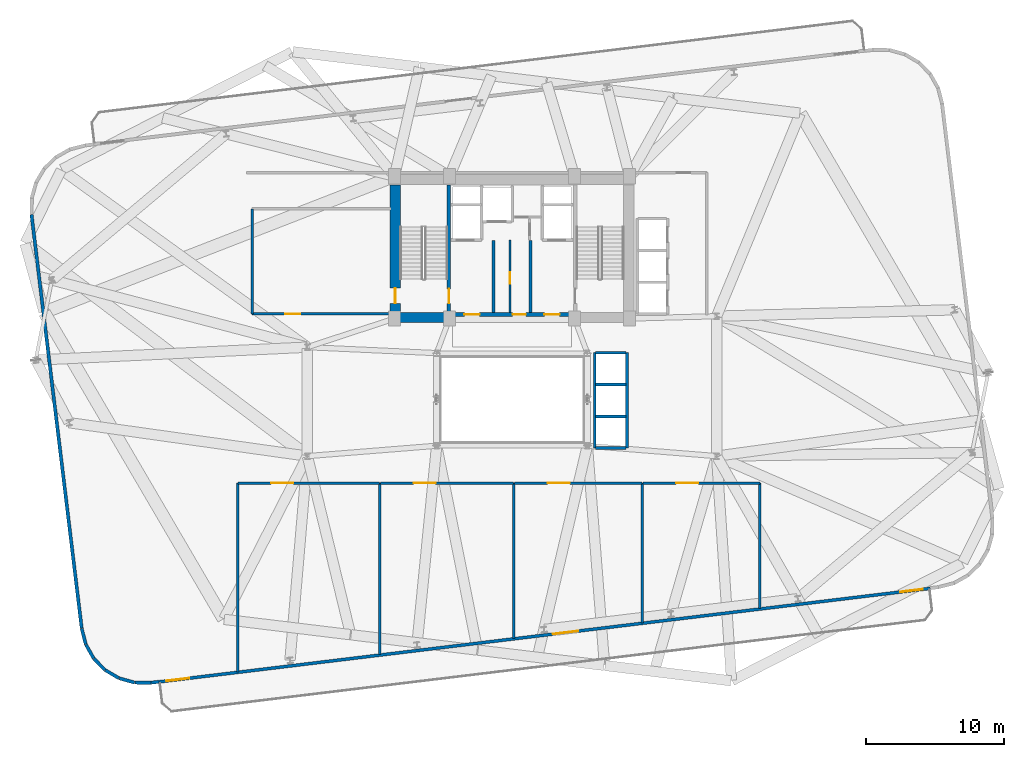
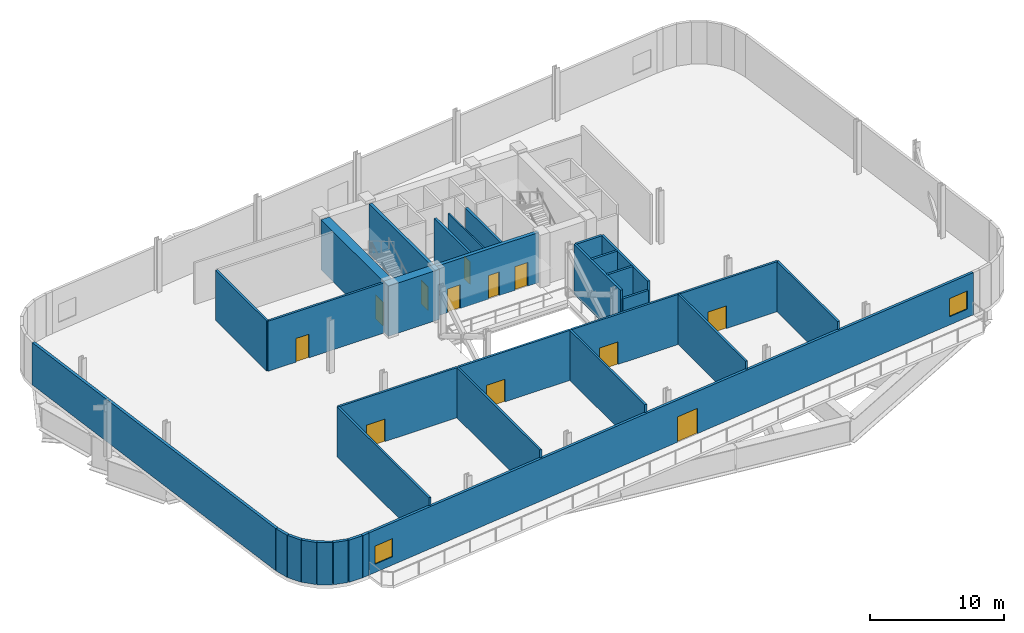
# One storey, part 5 of 11: 33 walls, 12 doors, 2 windows, 14 openings.
"""IFC4 building model written with IfcOpenShell, lengths in metres."""

from ifc_helpers import new_model, si_unit, direction, frame, frame_2d, origin, place, context, subcontext, project, spatial, rectangle, extrude, material, layer, layer_set, type_object, element, fill, save


model = new_model("IFC4")

# Units and contexts
model_context = context("Model", 3, precision=1e-05, world=origin(), true_north=direction((0.0, 1.0)))
body_context = subcontext(model_context, "Body", "Model", "MODEL_VIEW")
ifc_project = project(units=[si_unit("LENGTHUNIT", "METRE"), si_unit("AREAUNIT", "SQUARE_METRE"), si_unit("VOLUMEUNIT", "CUBIC_METRE"), si_unit("PLANEANGLEUNIT", "RADIAN"), si_unit("MASSUNIT", "GRAM", prefix="KILO")], contexts=[model_context])

# Site, building, storey
site_placement = place(None, origin())
site = spatial("IfcSite", under=ifc_project, at=site_placement, CompositionType="ELEMENT")
building_placement = place(site_placement, origin())
building = spatial("IfcBuilding", under=site, at=building_placement, Name="Varnelok Gate Tower", CompositionType="ELEMENT")
storey_placement = place(building_placement, frame((0.0, 0.0, 162.39990234375)))
storey = spatial("IfcBuildingStorey", under=building, at=storey_placement, Name="L41", CompositionType="ELEMENT", Elevation=162.39990234375)

# Wall, openings, door, windows
ifc_material_1 = material(Name="Concrete C45/55", Category="concrete")
ifc_layer_1 = layer(ifc_material_1, 0.219970703125)
ifc_layer_set_1 = layer_set([ifc_layer_1], Name="Concrete C45/55")
wall_type_1 = type_object("IfcWallType", Name="EW-BALC-220", PredefinedType="SOLIDWALL", material=ifc_layer_set_1)
wall_1_placement = place(storey_placement, frame((69.453369140625, 9.234130859375, 0.0), z_axis=(0.0, 0.0, 1.0), x_axis=(-0.99273203641, -0.120345768043, 0.0)))
wall_1 = element("IfcWall", 1, at=wall_1_placement, inside=storey, type_object=wall_type_1, Name="L41 South Terrace Envelope Wall 1", PredefinedType="SOLIDWALL", context=body_context, shape_type="SweptSolid", body=[
    extrude(rectangle(XDim=56.199951171875, YDim=0.219970703125, at=frame_2d((28.10009765625, 0.0))), origin(), (0.0, 0.0, 1.0), 3.830078125),
])
opening_1_placement = place(wall_1_placement, frame((25.638671875, 0.0, 0.0)))
opening_1 = element("IfcOpeningElement", 2, at=opening_1_placement, cuts=wall_1, Name="Opening SGD-1", PredefinedType="OPENING", context=body_context, shape_type="SweptSolid", body=[
    extrude(rectangle(XDim=1.85009765625, YDim=2.300048828125, at=frame_2d((0.925048828125, 1.14990234375))), frame((0.0, 0.119873046875, 0.0), z_axis=(0.0, -1.0, 0.0), x_axis=(1.0, 0.0, 0.0)), (0.0, 0.0, 1.0), 0.239990234375),
])
opening_2_placement = place(wall_1_placement, frame((0.550048828125, 0.0, 0.75)))
opening_2 = element("IfcOpeningElement", 3, at=opening_2_placement, cuts=wall_1, Name="Opening WN3", PredefinedType="OPENING", context=body_context, shape_type="SweptSolid", body=[
    extrude(rectangle(XDim=1.64990234375, YDim=1.64990234375, at=frame_2d((0.824951171875, 0.824951171875))), frame((0.0, 0.119873046875, 0.0), z_axis=(0.0, -1.0, 0.0), x_axis=(1.0, 0.0, 0.0)), (0.0, 0.0, 1.0), 0.239990234375),
])
opening_3_placement = place(wall_1_placement, frame((54.0, 0.0, 0.75)))
opening_3 = element("IfcOpeningElement", 4, at=opening_3_placement, cuts=wall_1, Name="Opening WN3", PredefinedType="OPENING", context=body_context, shape_type="SweptSolid", body=[
    extrude(rectangle(XDim=1.64990234375, YDim=1.64990234375, at=frame_2d((0.824951171875, 0.824951171875))), frame((0.0, 0.119873046875, 0.0), z_axis=(0.0, -1.0, 0.0), x_axis=(1.0, 0.0, 0.0)), (0.0, 0.0, 1.0), 0.239990234375),
])
ifc_material_2 = material(Name="Anodized Aluminum Alloy 6063-T6", Category="aluminium")
door_type_1 = type_object("IfcDoorType", Name="DR-EXT-SKYG1850", OperationType="DOUBLE_DOOR_SINGLE_SWING", PredefinedType="DOOR", material=ifc_material_2)
door_1_placement = place(opening_1_placement, origin())
door_1 = element("IfcDoor", 5, at=door_1_placement, inside=storey, type_object=door_type_1, Name="L41 South Sky Garden Glazed Door 1", OperationType="DOUBLE_DOOR_SINGLE_SWING", OverallHeight=2.300048828125, OverallWidth=1.85009765625, PredefinedType="DOOR", context=body_context, shape_type="SweptSolid", body=[
    extrude(rectangle(XDim=1.85009765625, YDim=2.300048828125, at=frame_2d((0.925048828125, 1.14990234375))), frame((0.0, 0.02490234375, 0.0), z_axis=(0.0, -1.0, 0.0), x_axis=(1.0, 0.0, 0.0)), (0.0, 0.0, 1.0), 0.050048828125),
])
fill(opening_1, door_1)
ifc_material_3 = material(Name="Low-E Laminated Double Glazing IGU", Category="glass")
window_type = type_object("IfcWindowType", Name="WN-HTL-1650", PartitioningType="SINGLE_PANEL", PredefinedType="WINDOW", material=ifc_material_3)
window_1_placement = place(opening_2_placement, origin())
window_1 = element("IfcWindow", 6, at=window_1_placement, inside=storey, type_object=window_type, Name="L41 South Vision Window 1.1", OverallHeight=1.64990234375, OverallWidth=1.64990234375, PartitioningType="SINGLE_PANEL", PredefinedType="WINDOW", context=body_context, shape_type="SweptSolid", body=[
    extrude(rectangle(XDim=1.64990234375, YDim=1.64990234375, at=frame_2d((0.824951171875, 0.824951171875))), frame((0.0, 0.030029296875, 0.0), z_axis=(0.0, -1.0, 0.0), x_axis=(1.0, 0.0, 0.0)), (0.0, 0.0, 1.0), 0.06005859375),
])
fill(opening_2, window_1)
window_2_placement = place(opening_3_placement, origin())
window_2 = element("IfcWindow", 7, at=window_2_placement, inside=storey, type_object=window_type, Name="L41 South Vision Window 1.2", OverallHeight=1.64990234375, OverallWidth=1.64990234375, PartitioningType="SINGLE_PANEL", PredefinedType="WINDOW", context=body_context, shape_type="SweptSolid", body=[
    extrude(rectangle(XDim=1.64990234375, YDim=1.64990234375, at=frame_2d((0.824951171875, 0.824951171875))), frame((0.0, 0.030029296875, 0.0), z_axis=(0.0, -1.0, 0.0), x_axis=(1.0, 0.0, 0.0)), (0.0, 0.0, 1.0), 0.06005859375),
])
fill(opening_3, window_2)

# Walls
ifc_layer_2 = layer(ifc_material_1, 0.239990234375)
ifc_layer_set_2 = layer_set([ifc_layer_2], Name="Concrete C45/55")
wall_type_2 = type_object("IfcWallType", Name="EW-PLANT-240", PredefinedType="SOLIDWALL", material=ifc_layer_set_2)
wall_2_placement = place(storey_placement, frame((8.077392578125, 6.324462890625, 0.0), z_axis=(0.0, 0.0, 1.0), x_axis=(0.248874294154, -0.968535794749, 0.0)))
element("IfcWall", 8, at=wall_2_placement, inside=storey, type_object=wall_type_2, Name="L41 Perimeter Facade Closure Wall 1", PredefinedType="SOLIDWALL", context=body_context, shape_type="SweptSolid", body=[
    extrude(rectangle(XDim=1.17724609375, YDim=0.239990234375, at=frame_2d((0.588623046875, 0.0))), origin(), (0.0, 0.0, 1.0), 3.830078125),
])
for number, where, z_axis, x_axis, name in (
    (9, (8.3828125, 5.16259765625, 0.0), (0.0, 0.0, 1.0), (0.490960068369, -0.871182076989, 0.0), "L41 Perimeter Facade Closure Wall 2"),
    (10, (8.962158203125, 4.14794921875, 0.0), (0.0, 0.0, 1.0), (0.699815386117, -0.714323753878, 0.0), "L41 Perimeter Facade Closure Wall 3"),
):
    element("IfcWall", number, at=place(storey_placement, frame(where, z_axis=z_axis, x_axis=x_axis)), inside=storey, type_object=wall_type_2, Name=name, PredefinedType="SOLIDWALL", context=body_context, shape_type="SweptSolid", body=[
        extrude(rectangle(XDim=1.144287109375, YDim=0.239990234375, at=frame_2d((0.572265625, 0.0))), origin(), (0.0, 0.0, 1.0), 3.830078125),
    ])
wall_3_placement = place(storey_placement, frame((9.784423828125, 3.31787109375, 0.0), z_axis=(0.0, 0.0, 1.0), x_axis=(0.860807556343, -0.508930595409, 0.0)))
element("IfcWall", 11, at=wall_3_placement, inside=storey, type_object=wall_type_2, Name="L41 Perimeter Facade Closure Wall 4", PredefinedType="SOLIDWALL", context=body_context, shape_type="SweptSolid", body=[
    extrude(rectangle(XDim=1.14404296875, YDim=0.239990234375, at=frame_2d((0.572021484375, 0.0))), origin(), (0.0, 0.0, 1.0), 3.830078125),
])
wall_4_placement = place(storey_placement, frame((10.79345703125, 2.72900390625, 0.0), z_axis=(0.0, 0.0, 1.0), x_axis=(0.963180882692, -0.268854211828, 0.0)))
element("IfcWall", 12, at=wall_4_placement, inside=storey, type_object=wall_type_2, Name="L41 Perimeter Facade Closure Wall 5", PredefinedType="SOLIDWALL", context=body_context, shape_type="SweptSolid", body=[
    extrude(rectangle(XDim=1.144287109375, YDim=0.239990234375, at=frame_2d((0.572265625, 0.0))), origin(), (0.0, 0.0, 1.0), 3.830078125),
])
wall_5_placement = place(storey_placement, frame((11.920654296875, 2.421142578125, 0.0), z_axis=(0.0, 0.0, 1.0), x_axis=(0.999948272817, -0.010171120385, 0.0)))
element("IfcWall", 13, at=wall_5_placement, inside=storey, type_object=wall_type_2, Name="L41 Perimeter Facade Closure Wall 6", PredefinedType="SOLIDWALL", context=body_context, shape_type="SweptSolid", body=[
    extrude(rectangle(XDim=1.152099609375, YDim=0.239990234375, at=frame_2d((0.576171875, 0.0))), origin(), (0.0, 0.0, 1.0), 3.830078125),
])
wall_6_placement = place(storey_placement, frame((13.09765625, 2.412353515625, 0.0), z_axis=(0.0, 0.0, 1.0), x_axis=(0.992708827393, 0.120537064905, 0.0)))
element("IfcWall", 14, at=wall_6_placement, inside=storey, type_object=wall_type_2, Name="L41 Perimeter Facade Closure Wall 7", PredefinedType="SOLIDWALL", context=body_context, shape_type="SweptSolid", body=[
    extrude(rectangle(XDim=0.567138671875, YDim=0.239990234375, at=frame_2d((0.28369140625, 0.0))), origin(), (0.0, 0.0, 1.0), 3.830078125),
])
wall_7_placement = place(storey_placement, frame((4.447998046875, 36.2646484375, 0.0), z_axis=(0.0, 0.0, 1.0), x_axis=(0.120343465153, -0.992732315579, 0.0)))
element("IfcWall", 15, at=wall_7_placement, inside=storey, type_object=wall_type_2, Name="L41 Perimeter Facade Closure Wall 30", PredefinedType="SOLIDWALL", context=body_context, shape_type="SweptSolid", body=[
    extrude(rectangle(XDim=30.13427734375, YDim=0.239990234375, at=frame_2d((15.067138671875, 0.0))), origin(), (0.0, 0.0, 1.0), 3.830078125),
])

# Wall, opening, door
ifc_material_4 = material(Name="Gypsum Plasterboard Acoustic Partition", Category="gypsum")
ifc_layer_3 = layer(ifc_material_4, 0.179931640625)
ifc_layer_set_3 = layer_set([ifc_layer_3], Name="Gypsum Plasterboard Acoustic Partition")
wall_type_3 = type_object("IfcWallType", Name="PW-CORR-180", PredefinedType="PARTITIONING", material=ifc_layer_set_3)
wall_8_placement = place(storey_placement, frame((20.39990234375, 29.080078125, 0.0), z_axis=(0.0, 0.0, 1.0), x_axis=(1.0, 0.0, 0.0)))
wall_8 = element("IfcWall", 16, at=wall_8_placement, inside=storey, type_object=wall_type_3, Name="Interior Partition", PredefinedType="PARTITIONING", context=body_context, shape_type="SweptSolid", body=[
    extrude(rectangle(XDim=9.9501953125, YDim=0.179931640625, at=frame_2d((4.97509765625, 0.0))), origin(), (0.0, 0.0, 1.0), 4.550048828125),
])
opening_4_placement = place(wall_8_placement, frame((2.39990234375, 0.0, 0.0)))
opening_4 = element("IfcOpeningElement", 17, at=opening_4_placement, cuts=wall_8, Name="Opening D-FF", PredefinedType="OPENING", context=body_context, shape_type="SweptSolid", body=[
    extrude(rectangle(XDim=1.10009765625, YDim=2.14990234375, at=frame_2d((0.550048828125, 1.074951171875))), frame((0.0, 0.099853515625, 0.0), z_axis=(0.0, -1.0, 0.0), x_axis=(1.0, 0.0, 0.0)), (0.0, 0.0, 1.0), 0.199951171875),
])
ifc_material_5 = material(Name="Galvanized Steel Grade S350GD", Category="steel")
door_type_2 = type_object("IfcDoorType", Name="DR-FFLOB-1100", OperationType="NOTDEFINED", PredefinedType="DOOR", material=ifc_material_5)
door_2_placement = place(opening_4_placement, origin())
door_2 = element("IfcDoor", 18, at=door_2_placement, inside=storey, type_object=door_type_2, Name="L41 Area of Refuge Lobby Fire Door", OperationType="SINGLE_SWING_LEFT", OverallHeight=2.14990234375, OverallWidth=1.10009765625, PredefinedType="DOOR", context=body_context, shape_type="SweptSolid", body=[
    extrude(rectangle(XDim=1.10009765625, YDim=2.14990234375, at=frame_2d((0.550048828125, 1.074951171875))), frame((0.0, 0.02490234375, 0.0), z_axis=(0.0, -1.0, 0.0), x_axis=(1.0, 0.0, 0.0)), (0.0, 0.0, 1.0), 0.050048828125),
])
fill(opening_4, door_2)

# Wall
wall_9_placement = place(storey_placement, frame((20.39990234375, 29.080078125, 0.0), z_axis=(0.0, 0.0, 1.0), x_axis=(0.0, 1.0, 0.0)))
element("IfcWall", 19, at=wall_9_placement, inside=storey, type_object=wall_type_3, Name="Interior Partition", PredefinedType="PARTITIONING", context=body_context, shape_type="SweptSolid", body=[
    extrude(rectangle(XDim=7.599853515625, YDim=0.179931640625, at=frame_2d((3.7998046875, 0.0))), origin(), (0.0, 0.0, 1.0), 4.550048828125),
])

# Wall, opening, door
wall_10_placement = place(storey_placement, frame((19.3798828125, 16.85009765625, 0.0), z_axis=(0.0, 0.0, 1.0), x_axis=(1.0, 0.0, 0.0)))
wall_10 = element("IfcWall", 20, at=wall_10_placement, inside=storey, type_object=wall_type_3, Name="Interior Partition", PredefinedType="PARTITIONING", context=body_context, shape_type="SweptSolid", body=[
    extrude(rectangle(XDim=10.240234375, YDim=0.179931640625, at=frame_2d((5.1201171875, 0.0))), origin(), (0.0, 0.0, 1.0), 4.550048828125),
])
opening_5_placement = place(wall_10_placement, frame((2.39990234375, 0.0, 0.0)))
opening_5 = element("IfcOpeningElement", 21, at=opening_5_placement, cuts=wall_10, Name="Opening D-PL", PredefinedType="OPENING", context=body_context, shape_type="SweptSolid", body=[
    extrude(rectangle(XDim=1.60009765625, YDim=2.050048828125, at=frame_2d((0.800048828125, 1.02490234375))), frame((0.0, 0.099853515625, 0.0), z_axis=(0.0, -1.0, 0.0), x_axis=(1.0, 0.0, 0.0)), (0.0, 0.0, 1.0), 0.199951171875),
])
door_type_3 = type_object("IfcDoorType", Name="DR-PLANT-1600", OperationType="DOUBLE_DOOR_SINGLE_SWING", PredefinedType="DOOR", material=ifc_material_5)
door_3_placement = place(opening_5_placement, origin())
door_3 = element("IfcDoor", 22, at=door_3_placement, inside=storey, type_object=door_type_3, Name="L41 Mechanical Plant Bay 1 Double Door", OperationType="DOUBLE_DOOR_SINGLE_SWING", OverallHeight=2.050048828125, OverallWidth=1.60009765625, PredefinedType="DOOR", context=body_context, shape_type="SweptSolid", body=[
    extrude(rectangle(XDim=1.60009765625, YDim=2.050048828125, at=frame_2d((0.800048828125, 1.02490234375))), frame((0.0, 0.02490234375, 0.0), z_axis=(0.0, -1.0, 0.0), x_axis=(1.0, 0.0, 0.0)), (0.0, 0.0, 1.0), 0.050048828125),
])
fill(opening_5, door_3)

# Walls
wall_11_placement = place(storey_placement, frame((29.6201171875, 4.435546875, 0.0), z_axis=(0.0, 0.0, 1.0), x_axis=(0.0, 1.0, 0.0)))
element("IfcWall", 23, at=wall_11_placement, inside=storey, type_object=wall_type_3, Name="Interior Partition", PredefinedType="PARTITIONING", context=body_context, shape_type="SweptSolid", body=[
    extrude(rectangle(XDim=12.41455078125, YDim=0.179931640625, at=frame_2d((6.207275390625, 0.0))), origin(), (0.0, 0.0, 1.0), 4.550048828125),
])
wall_12_placement = place(storey_placement, frame((19.3798828125, 3.194091796875, 0.0), z_axis=(0.0, 0.0, 1.0), x_axis=(0.0, 1.0, 0.0)))
element("IfcWall", 24, at=wall_12_placement, inside=storey, type_object=wall_type_3, Name="Interior Partition", PredefinedType="PARTITIONING", context=body_context, shape_type="SweptSolid", body=[
    extrude(rectangle(XDim=13.656005859375, YDim=0.179931640625, at=frame_2d((6.828125, 0.0))), origin(), (0.0, 0.0, 1.0), 4.550048828125),
])

# Wall, opening, door
wall_13_placement = place(storey_placement, frame((29.679931640625, 16.85009765625, 0.0), z_axis=(0.0, 0.0, 1.0), x_axis=(1.0, 0.0, 0.0)))
wall_13 = element("IfcWall", 25, at=wall_13_placement, inside=storey, type_object=wall_type_3, Name="Interior Partition", PredefinedType="PARTITIONING", context=body_context, shape_type="SweptSolid", body=[
    extrude(rectangle(XDim=9.64013671875, YDim=0.179931640625, at=frame_2d((4.820068359375, 0.0))), origin(), (0.0, 0.0, 1.0), 4.550048828125),
])
opening_6_placement = place(wall_13_placement, frame((2.39990234375, 0.0, 0.0)))
opening_6 = element("IfcOpeningElement", 26, at=opening_6_placement, cuts=wall_13, Name="Opening D-PL", PredefinedType="OPENING", context=body_context, shape_type="SweptSolid", body=[
    extrude(rectangle(XDim=1.60009765625, YDim=2.050048828125, at=frame_2d((0.800048828125, 1.02490234375))), frame((0.0, 0.099853515625, 0.0), z_axis=(0.0, -1.0, 0.0), x_axis=(1.0, 0.0, 0.0)), (0.0, 0.0, 1.0), 0.199951171875),
])
door_4_placement = place(opening_6_placement, origin())
door_4 = element("IfcDoor", 27, at=door_4_placement, inside=storey, type_object=door_type_3, Name="L41 Mechanical Plant Bay 2 Double Door", OperationType="DOUBLE_DOOR_SINGLE_SWING", OverallHeight=2.050048828125, OverallWidth=1.60009765625, PredefinedType="DOOR", context=body_context, shape_type="SweptSolid", body=[
    extrude(rectangle(XDim=1.60009765625, YDim=2.050048828125, at=frame_2d((0.800048828125, 1.02490234375))), frame((0.0, 0.02490234375, 0.0), z_axis=(0.0, -1.0, 0.0), x_axis=(1.0, 0.0, 0.0)), (0.0, 0.0, 1.0), 0.050048828125),
])
fill(opening_6, door_4)

# Wall
wall_14_placement = place(storey_placement, frame((39.320068359375, 5.611328125, 0.0), z_axis=(0.0, 0.0, 1.0), x_axis=(0.0, 1.0, 0.0)))
element("IfcWall", 28, at=wall_14_placement, inside=storey, type_object=wall_type_3, Name="Interior Partition", PredefinedType="PARTITIONING", context=body_context, shape_type="SweptSolid", body=[
    extrude(rectangle(XDim=11.23876953125, YDim=0.179931640625, at=frame_2d((5.619384765625, 0.0))), origin(), (0.0, 0.0, 1.0), 4.550048828125),
])

# Wall, opening, door
wall_15_placement = place(storey_placement, frame((39.3798828125, 16.85009765625, 0.0), z_axis=(0.0, 0.0, 1.0), x_axis=(1.0, 0.0, 0.0)))
wall_15 = element("IfcWall", 29, at=wall_15_placement, inside=storey, type_object=wall_type_3, Name="Interior Partition", PredefinedType="PARTITIONING", context=body_context, shape_type="SweptSolid", body=[
    extrude(rectangle(XDim=9.240234375, YDim=0.179931640625, at=frame_2d((4.6201171875, 0.0))), origin(), (0.0, 0.0, 1.0), 4.550048828125),
])
opening_7_placement = place(wall_15_placement, frame((2.39990234375, 0.0, 0.0)))
opening_7 = element("IfcOpeningElement", 30, at=opening_7_placement, cuts=wall_15, Name="Opening D-PL", PredefinedType="OPENING", context=body_context, shape_type="SweptSolid", body=[
    extrude(rectangle(XDim=1.60009765625, YDim=2.050048828125, at=frame_2d((0.800048828125, 1.02490234375))), frame((0.0, 0.099853515625, 0.0), z_axis=(0.0, -1.0, 0.0), x_axis=(1.0, 0.0, 0.0)), (0.0, 0.0, 1.0), 0.199951171875),
])
door_5_placement = place(opening_7_placement, origin())
door_5 = element("IfcDoor", 31, at=door_5_placement, inside=storey, type_object=door_type_3, Name="L41 Mechanical Plant Bay 3 Double Door", OperationType="DOUBLE_DOOR_SINGLE_SWING", OverallHeight=2.050048828125, OverallWidth=1.60009765625, PredefinedType="DOOR", context=body_context, shape_type="SweptSolid", body=[
    extrude(rectangle(XDim=1.60009765625, YDim=2.050048828125, at=frame_2d((0.800048828125, 1.02490234375))), frame((0.0, 0.02490234375, 0.0), z_axis=(0.0, -1.0, 0.0), x_axis=(1.0, 0.0, 0.0)), (0.0, 0.0, 1.0), 0.050048828125),
])
fill(opening_7, door_5)

# Wall
wall_16_placement = place(storey_placement, frame((48.6201171875, 6.73876953125, 0.0), z_axis=(0.0, 0.0, 1.0), x_axis=(0.0, 1.0, 0.0)))
element("IfcWall", 32, at=wall_16_placement, inside=storey, type_object=wall_type_3, Name="Interior Partition", PredefinedType="PARTITIONING", context=body_context, shape_type="SweptSolid", body=[
    extrude(rectangle(XDim=10.111328125, YDim=0.179931640625, at=frame_2d((5.0556640625, 0.0))), origin(), (0.0, 0.0, 1.0), 4.550048828125),
])

# Wall, opening, door
wall_17_placement = place(storey_placement, frame((48.679931640625, 16.85009765625, 0.0), z_axis=(0.0, 0.0, 1.0), x_axis=(1.0, 0.0, 0.0)))
wall_17 = element("IfcWall", 33, at=wall_17_placement, inside=storey, type_object=wall_type_3, Name="Interior Partition", PredefinedType="PARTITIONING", context=body_context, shape_type="SweptSolid", body=[
    extrude(rectangle(XDim=8.440185546875, YDim=0.179931640625, at=frame_2d((4.22021484375, 0.0))), origin(), (0.0, 0.0, 1.0), 4.550048828125),
])
opening_8_placement = place(wall_17_placement, frame((2.39990234375, 0.0, 0.0)))
opening_8 = element("IfcOpeningElement", 34, at=opening_8_placement, cuts=wall_17, Name="Opening D-PL", PredefinedType="OPENING", context=body_context, shape_type="SweptSolid", body=[
    extrude(rectangle(XDim=1.60009765625, YDim=2.050048828125, at=frame_2d((0.800048828125, 1.02490234375))), frame((0.0, 0.099853515625, 0.0), z_axis=(0.0, -1.0, 0.0), x_axis=(1.0, 0.0, 0.0)), (0.0, 0.0, 1.0), 0.199951171875),
])
door_6_placement = place(opening_8_placement, origin())
door_6 = element("IfcDoor", 35, at=door_6_placement, inside=storey, type_object=door_type_3, Name="L41 Mechanical Plant Bay 4 Double Door", OperationType="DOUBLE_DOOR_SINGLE_SWING", OverallHeight=2.050048828125, OverallWidth=1.60009765625, PredefinedType="DOOR", context=body_context, shape_type="SweptSolid", body=[
    extrude(rectangle(XDim=1.60009765625, YDim=2.050048828125, at=frame_2d((0.800048828125, 1.02490234375))), frame((0.0, 0.02490234375, 0.0), z_axis=(0.0, -1.0, 0.0), x_axis=(1.0, 0.0, 0.0)), (0.0, 0.0, 1.0), 0.050048828125),
])
fill(opening_8, door_6)

# Wall
wall_18_placement = place(storey_placement, frame((57.1201171875, 7.769287109375, 0.0), z_axis=(0.0, 0.0, 1.0), x_axis=(0.0, 1.0, 0.0)))
element("IfcWall", 36, at=wall_18_placement, inside=storey, type_object=wall_type_3, Name="Interior Partition", PredefinedType="PARTITIONING", context=body_context, shape_type="SweptSolid", body=[
    extrude(rectangle(XDim=9.080810546875, YDim=0.179931640625, at=frame_2d((4.54052734375, 0.0))), origin(), (0.0, 0.0, 1.0), 4.550048828125),
])

# Wall, opening, door
ifc_layer_4 = layer(ifc_material_4, 0.125)
ifc_layer_set_4 = layer_set([ifc_layer_4], Name="Gypsum Plasterboard Acoustic Partition")
wall_type_4 = type_object("IfcWallType", Name="PW-PART-125", PredefinedType="PARTITIONING", material=ifc_layer_set_4)
wall_19_placement = place(storey_placement, frame((39.050048828125, 29.199951171875, 0.0), z_axis=(0.0, 0.0, 1.0), x_axis=(0.0, 1.0, 0.0)))
wall_19 = element("IfcWall", 37, at=wall_19_placement, inside=storey, type_object=wall_type_4, Name="Interior Partition", PredefinedType="PARTITIONING", context=body_context, shape_type="SweptSolid", body=[
    extrude(rectangle(XDim=5.219970703125, YDim=0.125, at=frame_2d((2.60986328125, 0.0))), origin(), (0.0, 0.0, 1.0), 4.550048828125),
])
opening_9_placement = place(wall_19_placement, frame((2.050048828125, 0.0, 0.0)))
opening_9 = element("IfcOpeningElement", 38, at=opening_9_placement, cuts=wall_19, Name="Opening D-RS", PredefinedType="OPENING", context=body_context, shape_type="SweptSolid", body=[
    extrude(rectangle(XDim=0.85009765625, YDim=2.050048828125, at=frame_2d((0.425048828125, 1.02490234375))), frame((0.0, 0.072509765625, 0.0), z_axis=(0.0, -1.0, 0.0), x_axis=(1.0, 0.0, 0.0)), (0.0, 0.0, 1.0), 0.14501953125),
])
door_type_4 = type_object("IfcDoorType", Name="DR-RISER-850", OperationType="NOTDEFINED", PredefinedType="DOOR", material=ifc_material_5)
door_7_placement = place(opening_9_placement, origin())
door_7 = element("IfcDoor", 39, at=door_7_placement, inside=storey, type_object=door_type_4, Name="L41 Housekeeping Linen Door", OperationType="SINGLE_SWING_LEFT", OverallHeight=2.050048828125, OverallWidth=0.85009765625, PredefinedType="DOOR", context=body_context, shape_type="SweptSolid", body=[
    extrude(rectangle(XDim=0.85009765625, YDim=2.050048828125, at=frame_2d((0.425048828125, 1.02490234375))), frame((0.0, 0.02490234375, 0.0), z_axis=(0.0, -1.0, 0.0), x_axis=(1.0, 0.0, 0.0)), (0.0, 0.0, 1.0), 0.050048828125),
])
fill(opening_9, door_7)

# Walls
ifc_material_6 = material(Name="Concrete C35/45", Category="concrete")
ifc_layer_5 = layer(ifc_material_6, 0.199951171875)
ifc_layer_set_5 = layer_set([ifc_layer_5], Name="Concrete C35/45")
wall_type_5 = type_object("IfcWallType", Name="PW-SHAFT-200", PredefinedType="PARTITIONING", material=ifc_layer_set_5)
for number, where, z_axis, x_axis, name in (
    (40, (37.860107421875, 29.199951171875, 0.0), (0.0, 0.0, 1.0), (0.0, 1.0, 0.0), "L41 West FF Lobby Rated Wall"),
    (41, (40.5400390625, 29.199951171875, 0.0), (0.0, 0.0, 1.0), (0.0, 1.0, 0.0), "L41 East FF Lobby Rated Wall"),
):
    element("IfcWall", number, at=place(storey_placement, frame(where, z_axis=z_axis, x_axis=x_axis)), inside=storey, type_object=wall_type_5, Name=name, PredefinedType="PARTITIONING", context=body_context, shape_type="SweptSolid", body=[
        extrude(rectangle(XDim=5.179931640625, YDim=0.199951171875, at=frame_2d((2.58984375, 0.0))), origin(), (0.0, 0.0, 1.0), 4.550048828125),
    ])
for number, where, z_axis, x_axis, name in (
    (42, (45.239990234375, 21.675048828125, 0.0), (0.0, 0.0, 1.0), (1.0, 0.0, 0.0), "L41 PH1 Divider"),
    (43, (45.239990234375, 23.97509765625, 0.0), (0.0, 0.0, 1.0), (1.0, 0.0, 0.0), "L41 PH2 Divider"),
):
    element("IfcWall", number, at=place(storey_placement, frame(where, z_axis=z_axis, x_axis=x_axis)), inside=storey, type_object=wall_type_5, Name=name, PredefinedType="PARTITIONING", context=body_context, shape_type="SweptSolid", body=[
        extrude(rectangle(XDim=2.219970703125, YDim=0.199951171875, at=frame_2d((1.10986328125, 0.0))), origin(), (0.0, 0.0, 1.0), 4.550048828125),
    ])
wall_20_placement = place(storey_placement, frame((45.239990234375, 19.3798828125, 0.0), z_axis=(0.0, 0.0, 1.0), x_axis=(1.0, 0.0, 0.0)))
element("IfcWall", 44, at=wall_20_placement, inside=storey, type_object=wall_type_5, Name="L41 PH Bank South Wall", PredefinedType="PARTITIONING", context=body_context, shape_type="SweptSolid", body=[
    extrude(rectangle(XDim=2.219970703125, YDim=0.199951171875, at=frame_2d((1.10986328125, 0.0))), origin(), (0.0, 0.0, 1.0), 3.76220703125),
])
wall_21_placement = place(storey_placement, frame((45.239990234375, 26.280029296875, 0.0), z_axis=(0.0, 0.0, 1.0), x_axis=(1.0, 0.0, 0.0)))
element("IfcWall", 45, at=wall_21_placement, inside=storey, type_object=wall_type_5, Name="L41 PH Bank North Wall", PredefinedType="PARTITIONING", context=body_context, shape_type="SweptSolid", body=[
    extrude(rectangle(XDim=2.219970703125, YDim=0.199951171875, at=frame_2d((1.10986328125, 0.0))), origin(), (0.0, 0.0, 1.0), 4.550048828125),
])
for number, where, z_axis, x_axis, name in (
    (46, (45.179931640625, 19.3798828125, 0.0), (0.0, 0.0, 1.0), (0.0, 1.0, 0.0), "L41 PH Bank Atrium Wall"),
    (47, (47.52001953125, 19.3798828125, 0.0), (0.0, 0.0, 1.0), (0.0, 1.0, 0.0), "L41 PH Bank Front Wall"),
):
    element("IfcWall", number, at=place(storey_placement, frame(where, z_axis=z_axis, x_axis=x_axis)), inside=storey, type_object=wall_type_5, Name=name, PredefinedType="PARTITIONING", context=body_context, shape_type="SweptSolid", body=[
        extrude(rectangle(XDim=6.900146484375, YDim=0.199951171875, at=frame_2d((3.4501953125, 0.0))), origin(), (0.0, 0.0, 1.0), 4.550048828125),
    ])

# Wall, opening, door
ifc_material_7 = material(Name="Concrete C70/85", Category="concrete")
ifc_layer_6 = layer(ifc_material_7, 0.75)
ifc_layer_set_6 = layer_set([ifc_layer_6], Name="Concrete C70/85")
wall_type_6 = type_object("IfcWallType", Name="SW-CORE-750", PredefinedType="SHEAR", material=ifc_layer_set_6)
wall_22_placement = place(storey_placement, frame((30.7548828125, 29.199951171875, 0.0), z_axis=(0.0, 0.0, 1.0), x_axis=(0.0, 1.0, 0.0)))
wall_22 = element("IfcWall", 48, at=wall_22_placement, inside=storey, type_object=wall_type_6, Name="L41 Rear Core West Shear Wall", PredefinedType="SHEAR", context=body_context, shape_type="SweptSolid", body=[
    extrude(rectangle(XDim=9.219970703125, YDim=0.75, at=frame_2d((4.60986328125, 0.0))), origin(), (0.0, 0.0, 1.0), 4.550048828125),
])
opening_10_placement = place(wall_22_placement, frame((0.64990234375, 0.0, 0.0)))
opening_10 = element("IfcOpeningElement", 49, at=opening_10_placement, cuts=wall_22, Name="Opening D-FF", PredefinedType="OPENING", context=body_context, shape_type="SweptSolid", body=[
    extrude(rectangle(XDim=1.10009765625, YDim=2.14990234375, at=frame_2d((0.550048828125, 1.074951171875))), frame((0.0, 0.385009765625, 0.0), z_axis=(0.0, -1.0, 0.0), x_axis=(1.0, 0.0, 0.0)), (0.0, 0.0, 1.0), 0.77001953125),
])
door_8_placement = place(opening_10_placement, origin())
door_8 = element("IfcDoor", 50, at=door_8_placement, inside=storey, type_object=door_type_2, Name="L41 Area of Refuge Stair ST-1 Fire Door", OperationType="SINGLE_SWING_RIGHT", OverallHeight=2.14990234375, OverallWidth=1.10009765625, PredefinedType="DOOR", context=body_context, shape_type="SweptSolid", body=[
    extrude(rectangle(XDim=1.10009765625, YDim=2.14990234375, at=frame_2d((0.550048828125, 1.074951171875))), frame((0.0, 0.02490234375, 0.0), z_axis=(0.0, -1.0, 0.0), x_axis=(1.0, 0.0, 0.0)), (0.0, 0.0, 1.0), 0.050048828125),
])
fill(opening_10, door_8)

# Wall
wall_23_placement = place(storey_placement, frame((30.3798828125, 28.824951171875, 0.0), z_axis=(0.0, 0.0, 1.0), x_axis=(1.0, 0.0, 0.0)))
element("IfcWall", 51, at=wall_23_placement, inside=storey, type_object=wall_type_6, Name="L41 Rear Core South-West Shear Wall", PredefinedType="SHEAR", context=body_context, shape_type="SweptSolid", body=[
    extrude(rectangle(XDim=4.420166015625, YDim=0.75, at=frame_2d((2.2099609375, 0.0))), origin(), (0.0, 0.0, 1.0), 4.550048828125),
])

# Wall, opening, door
ifc_material_8 = material(Name="Concrete C60/75", Category="concrete")
ifc_layer_7 = layer(ifc_material_8, 0.25)
ifc_layer_set_7 = layer_set([ifc_layer_7], Name="Concrete C60/75")
wall_type_7 = type_object("IfcWallType", Name="SW-SHAFT-250", PredefinedType="SHEAR", material=ifc_layer_set_7)
wall_24_placement = place(storey_placement, frame((34.639892578125, 29.199951171875, 0.0), z_axis=(0.0, 0.0, 1.0), x_axis=(0.0, 1.0, 0.0)))
wall_24 = element("IfcWall", 52, at=wall_24_placement, inside=storey, type_object=wall_type_7, Name="L41 Stair ST-1 East Shear Wall", PredefinedType="SHEAR", context=body_context, shape_type="SweptSolid", body=[
    extrude(rectangle(XDim=9.219970703125, YDim=0.25, at=frame_2d((4.60986328125, 0.0))), origin(), (0.0, 0.0, 1.0), 4.550048828125),
])
opening_11_placement = place(wall_24_placement, frame((0.64990234375, 0.0, 0.0)))
opening_11 = element("IfcOpeningElement", 53, at=opening_11_placement, cuts=wall_24, Name="Opening D-ST", PredefinedType="OPENING", context=body_context, shape_type="SweptSolid", body=[
    extrude(rectangle(XDim=1.050048828125, YDim=2.14990234375, at=frame_2d((0.52490234375, 1.074951171875))), frame((0.0, 0.135009765625, 0.0), z_axis=(0.0, -1.0, 0.0), x_axis=(1.0, 0.0, 0.0)), (0.0, 0.0, 1.0), 0.27001953125),
])
door_type_5 = type_object("IfcDoorType", Name="DR-STAIR-1050", OperationType="NOTDEFINED", PredefinedType="DOOR", material=ifc_material_5)
door_9_placement = place(opening_11_placement, origin())
door_9 = element("IfcDoor", 54, at=door_9_placement, inside=storey, type_object=door_type_5, Name="L41 Exit Stair ST-1 Fire Door", OperationType="SINGLE_SWING_LEFT", OverallHeight=2.14990234375, OverallWidth=1.050048828125, PredefinedType="DOOR", context=body_context, shape_type="SweptSolid", body=[
    extrude(rectangle(XDim=1.050048828125, YDim=2.14990234375, at=frame_2d((0.52490234375, 1.074951171875))), frame((0.0, 0.02490234375, 0.0), z_axis=(0.0, -1.0, 0.0), x_axis=(1.0, 0.0, 0.0)), (0.0, 0.0, 1.0), 0.050048828125),
])
fill(opening_11, door_9)

# Wall, openings, doors
ifc_layer_8 = layer(ifc_material_8, 0.300048828125)
ifc_layer_set_8 = layer_set([ifc_layer_8], Name="Concrete C60/75")
wall_type_8 = type_object("IfcWallType", Name="SW-SHAFT-300", PredefinedType="SHEAR", material=ifc_layer_set_8)
wall_25_placement = place(storey_placement, frame((34.800048828125, 29.050048828125, 0.0), z_axis=(0.0, 0.0, 1.0), x_axis=(1.0, 0.0, 0.0)))
wall_25 = element("IfcWall", 55, at=wall_25_placement, inside=storey, type_object=wall_type_8, Name="L41 Rear Core Central Lobby Shear Wall", PredefinedType="SHEAR", context=body_context, shape_type="SweptSolid", body=[
    extrude(rectangle(XDim=8.800048828125, YDim=0.300048828125, at=frame_2d((4.39990234375, 0.0))), origin(), (0.0, 0.0, 1.0), 4.550048828125),
])
opening_12_placement = place(wall_25_placement, frame((0.949951171875, 0.0, 0.0)))
opening_12 = element("IfcOpeningElement", 56, at=opening_12_placement, cuts=wall_25, Name="Opening D-FF", PredefinedType="OPENING", context=body_context, shape_type="SweptSolid", body=[
    extrude(rectangle(XDim=1.10009765625, YDim=2.14990234375, at=frame_2d((0.550048828125, 1.074951171875))), frame((0.0, 0.159912109375, 0.0), z_axis=(0.0, -1.0, 0.0), x_axis=(1.0, 0.0, 0.0)), (0.0, 0.0, 1.0), 0.320068359375),
])
opening_13_placement = place(wall_25_placement, frame((6.75, 0.0, 0.0)))
opening_13 = element("IfcOpeningElement", 57, at=opening_13_placement, cuts=wall_25, Name="Opening D-FF", PredefinedType="OPENING", context=body_context, shape_type="SweptSolid", body=[
    extrude(rectangle(XDim=1.10009765625, YDim=2.14990234375, at=frame_2d((0.550048828125, 1.074951171875))), frame((0.0, 0.159912109375, 0.0), z_axis=(0.0, -1.0, 0.0), x_axis=(1.0, 0.0, 0.0)), (0.0, 0.0, 1.0), 0.320068359375),
])
opening_14_placement = place(wall_25_placement, frame((4.449951171875, 0.0, 0.0)))
opening_14 = element("IfcOpeningElement", 58, at=opening_14_placement, cuts=wall_25, Name="Opening D-CR", PredefinedType="OPENING", context=body_context, shape_type="SweptSolid", body=[
    extrude(rectangle(XDim=0.949951171875, YDim=2.14990234375, at=frame_2d((0.47509765625, 1.074951171875))), frame((0.0, 0.159912109375, 0.0), z_axis=(0.0, -1.0, 0.0), x_axis=(1.0, 0.0, 0.0)), (0.0, 0.0, 1.0), 0.320068359375),
])
door_type_6 = type_object("IfcDoorType", Name="DR-CORR-950", OperationType="NOTDEFINED", PredefinedType="DOOR", material=ifc_material_5)
door_10_placement = place(opening_14_placement, origin())
door_10 = element("IfcDoor", 59, at=door_10_placement, inside=storey, type_object=door_type_6, Name="L41 Core Service Passage Door", OperationType="SINGLE_SWING_LEFT", OverallHeight=2.14990234375, OverallWidth=0.949951171875, PredefinedType="DOOR", context=body_context, shape_type="SweptSolid", body=[
    extrude(rectangle(XDim=0.949951171875, YDim=2.14990234375, at=frame_2d((0.47509765625, 1.074951171875))), frame((0.0, 0.02490234375, 0.0), z_axis=(0.0, -1.0, 0.0), x_axis=(1.0, 0.0, 0.0)), (0.0, 0.0, 1.0), 0.050048828125),
])
fill(opening_14, door_10)
door_11_placement = place(opening_12_placement, origin())
door_11 = element("IfcDoor", 60, at=door_11_placement, inside=storey, type_object=door_type_2, Name="L41 West Firefighting Lobby Fire Door", OperationType="SINGLE_SWING_RIGHT", OverallHeight=2.14990234375, OverallWidth=1.10009765625, PredefinedType="DOOR", context=body_context, shape_type="SweptSolid", body=[
    extrude(rectangle(XDim=1.10009765625, YDim=2.14990234375, at=frame_2d((0.550048828125, 1.074951171875))), frame((0.0, 0.02490234375, 0.0), z_axis=(0.0, -1.0, 0.0), x_axis=(1.0, 0.0, 0.0)), (0.0, 0.0, 1.0), 0.050048828125),
])
fill(opening_12, door_11)
door_12_placement = place(opening_13_placement, origin())
door_12 = element("IfcDoor", 61, at=door_12_placement, inside=storey, type_object=door_type_2, Name="L41 East Firefighting Lobby Fire Door", OperationType="SINGLE_SWING_LEFT", OverallHeight=2.14990234375, OverallWidth=1.10009765625, PredefinedType="DOOR", context=body_context, shape_type="SweptSolid", body=[
    extrude(rectangle(XDim=1.10009765625, YDim=2.14990234375, at=frame_2d((0.550048828125, 1.074951171875))), frame((0.0, 0.02490234375, 0.0), z_axis=(0.0, -1.0, 0.0), x_axis=(1.0, 0.0, 0.0)), (0.0, 0.0, 1.0), 0.050048828125),
])
fill(opening_13, door_12)

save(model, "model.ifc")
